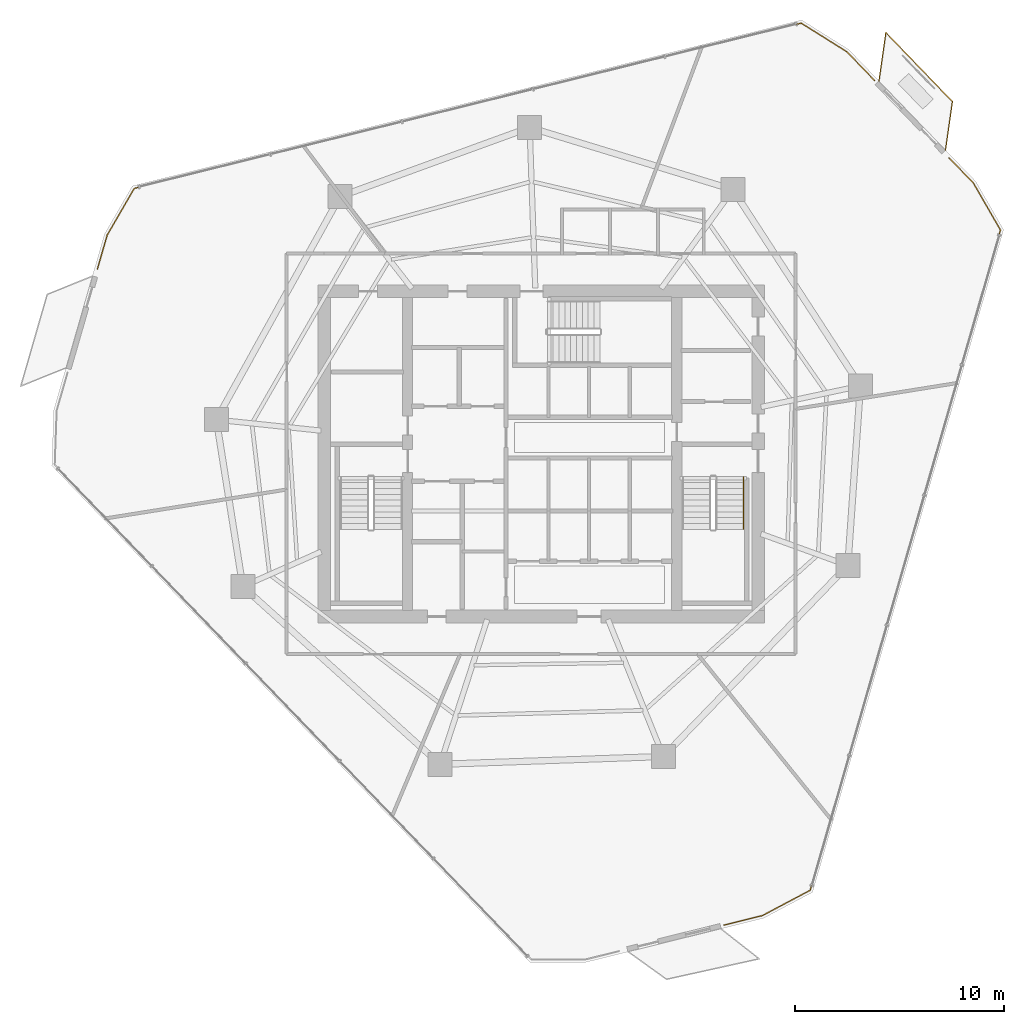
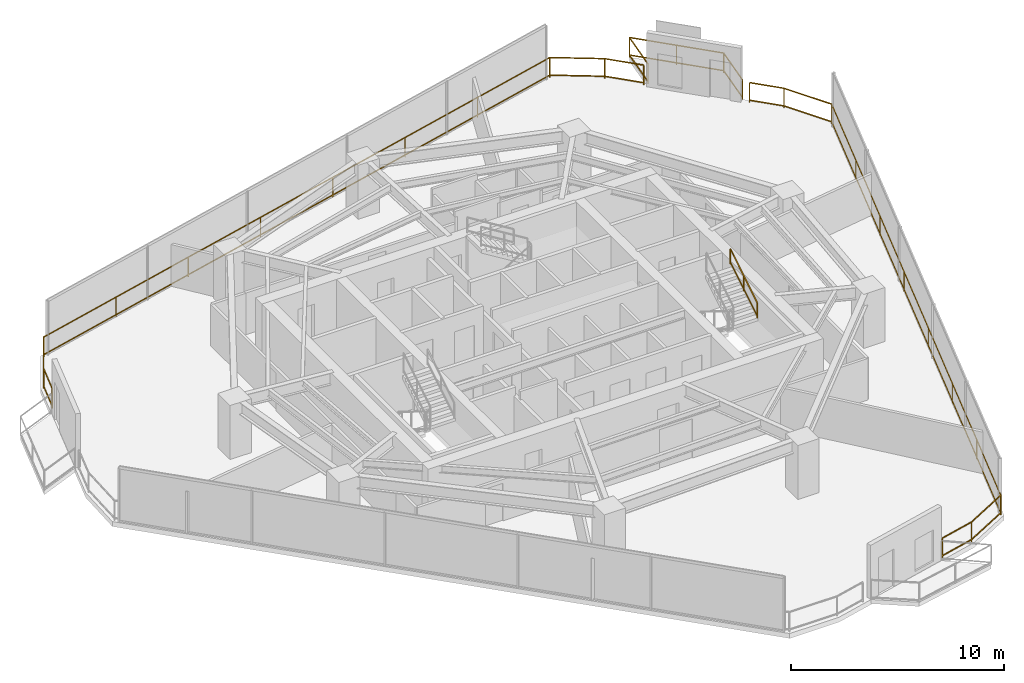
# One storey, part 23 of 23: 5 railings.
"""IFC4 building model written with IfcOpenShell, lengths in metres."""

import ifcopenshell
import ifcopenshell.guid

model = None  # the IFC model being written
_history = None  # IfcOwnerHistory: only IFC2X3 demands one
_inside = {}  # id of a spatial element -> (the spatial element, [elements in it])
_under = {}  # id of a project, library or spatial element -> (it, [spatial elements below it])
_declared = {}  # id of a project -> (the project, [libraries it declares])
_typed = {}  # id of a type object -> (the type object, [elements of that type])
_made_of = {}  # id of a material, layer set ... -> (it, [elements and type objects made of it])


def new_model(schema):
    """Start an empty IFC model of exactly this schema.

    Asked for "IFC4X3", IfcOpenShell would pick the latest addendum, in which some entities
    have other attributes; the version numbers below select the first issue.
    IFC2X3 requires an IfcOwnerHistory on every rooted entity: one is made here for all.
    """
    global model, _history
    if schema == "IFC4X3":
        model = ifcopenshell.file(schema_version=(4, 3, 0, 0))
    else:
        model = ifcopenshell.file(schema=schema)
    _inside.clear()
    _under.clear()
    _declared.clear()
    _typed.clear()
    _made_of.clear()
    _history = None
    if model.schema == "IFC2X3":
        org = make("IfcOrganization", Name="unknown")
        user = make(
            "IfcPersonAndOrganization",
            ThePerson=make("IfcPerson", FamilyName="unknown"),
            TheOrganization=org,
        )
        app = make(
            "IfcApplication",
            ApplicationDeveloper=org,
            Version="unknown",
            ApplicationFullName="unknown",
            ApplicationIdentifier="unknown",
        )
        _history = make(
            "IfcOwnerHistory",
            OwningUser=user,
            OwningApplication=app,
            ChangeAction="ADDED",
            CreationDate=0,
        )
    return model


def make(cls, **values):
    """One entity of the class cls with the attributes given. An attribute that is None is left unset."""
    return model.create_entity(
        cls, **{name: value for name, value in values.items() if value is not None}
    )


def rooted(cls, **values):
    """An entity with a GlobalId (a new one), such as an element, a storey or a relation."""
    return make(cls, GlobalId=ifcopenshell.guid.new(), OwnerHistory=_history, **values)


def si_unit(unit_type, name, prefix=None):
    """IfcSIUnit, for example si_unit("LENGTHUNIT", "METRE", prefix="MILLI")."""
    return make("IfcSIUnit", UnitType=unit_type, Prefix=prefix, Name=name)


def assignment(units):
    """IfcUnitAssignment: the units of a project."""
    return None if units is None else make("IfcUnitAssignment", Units=units)


def point(xyz):
    """IfcCartesianPoint."""
    return None if xyz is None else make("IfcCartesianPoint", Coordinates=xyz)


def direction(xyz):
    """IfcDirection."""
    return None if xyz is None else make("IfcDirection", DirectionRatios=xyz)


def frame(location, z_axis=None, x_axis=None):
    """IfcAxis2Placement3D, a coordinate frame: its origin and axes. An axis left out is left unset."""
    return make(
        "IfcAxis2Placement3D",
        Location=point(location),
        Axis=direction(z_axis),
        RefDirection=direction(x_axis),
    )


def frame_2d(location, x_axis=None):
    """IfcAxis2Placement2D, a coordinate frame in the plane: its origin and x axis."""
    return make(
        "IfcAxis2Placement2D", Location=point(location), RefDirection=direction(x_axis)
    )


def origin():
    """The frame at (0, 0, 0) with its axes left unset."""
    return frame((0.0, 0.0, 0.0))


def origin_2d():
    """The frame at (0, 0) in the plane with its x axis left unset."""
    return frame_2d((0.0, 0.0))


def place(relative_to, where):
    """IfcLocalPlacement: puts the frame where relative to a parent placement (None: the world)."""
    return make(
        "IfcLocalPlacement", PlacementRelTo=relative_to, RelativePlacement=where
    )


def context(
    kind, dimensions, precision=None, world=None, true_north=None, identifier=None
):
    """IfcGeometricRepresentationContext, for example the 3D "Model" context."""
    return make(
        "IfcGeometricRepresentationContext",
        ContextIdentifier=identifier,
        ContextType=kind,
        CoordinateSpaceDimension=dimensions,
        Precision=precision,
        WorldCoordinateSystem=world,
        TrueNorth=true_north,
    )


def subcontext(parent, identifier, kind, view, scale=None):
    """IfcGeometricRepresentationSubContext, for example "Body" below "Model"."""
    return make(
        "IfcGeometricRepresentationSubContext",
        ContextIdentifier=identifier,
        ContextType=kind,
        ParentContext=parent,
        TargetScale=scale,
        TargetView=view,
    )


def project(units=None, contexts=None):
    """IfcProject with its units and contexts."""
    return rooted(
        "IfcProject",
        Name="project",
        RepresentationContexts=contexts,
        UnitsInContext=assignment(units),
    )


def spatial(cls, under=None, at=None, **own):
    """A site, building, storey or space (cls), placed at a placement, below another one or the project."""
    s = rooted(cls, ObjectPlacement=at, **own)
    if under is not None:
        _under.setdefault(under.id(), (under, []))[1].append(s)
    return s


def profile(cls, at=None, kind="AREA", **sizes):
    """A parametric profile (cls). Its sizes go by their IFC names, for example OverallWidth=200.0."""
    return make(cls, ProfileType=kind, Position=at, **sizes)


def rectangle(**sizes):
    """IfcRectangleProfileDef."""
    return profile("IfcRectangleProfileDef", **sizes)


def extrude(swept, where, along, depth):
    """IfcExtrudedAreaSolid: the profile swept, set in the frame where, extruded along a direction by depth."""
    return make(
        "IfcExtrudedAreaSolid",
        SweptArea=swept,
        Position=where,
        ExtrudedDirection=direction(along),
        Depth=depth,
    )


def shape(context_of_items, identifier, shape_type, items):
    """IfcShapeRepresentation: the items that make up one representation, for example the "Body"."""
    return make(
        "IfcShapeRepresentation",
        ContextOfItems=context_of_items,
        RepresentationIdentifier=identifier,
        RepresentationType=shape_type,
        Items=items,
    )


def material(Name=None, Category=None):
    """IfcMaterial."""
    return make("IfcMaterial", Name=Name, Category=Category)


def made_of(thing, what):
    """Note that an element or type object is made of a material, layer set ...; save() writes the relation."""
    if what is not None:
        _made_of.setdefault(what.id(), (what, []))[1].append(thing)
    return thing


def type_object(cls, material=None, **own):
    """A type object (cls), such as IfcWallType, which elements share."""
    return made_of(rooted(cls, **own), material)


def element(
    cls,
    number,
    at=None,
    inside=None,
    cuts=None,
    type_object=None,
    material=None,
    context=None,
    identifier="Body",
    shape_type=None,
    held_by="IfcProductDefinitionShape",
    body=None,
    shapes=None,
    **own,
):
    """One element of the class cls, such as IfcWall. Its Tag is "e" and its number.

    at: its placement. inside: the storey or other place that contains it. cuts: it is an
    opening in that element (IfcRelVoidsElement). A single representation is given by context,
    identifier, shape_type and body (its items); several are given by shapes. held_by: the class
    of the entity that holds the representations. save() writes the other relations.
    """
    e = rooted(cls, Tag="e%d" % number, ObjectPlacement=at, **own)
    if body is not None:
        shapes = [shape(context, identifier, shape_type, body)]
    if shapes is not None:
        e.Representation = make(held_by, Representations=shapes)
    if inside is not None:
        _inside.setdefault(inside.id(), (inside, []))[1].append(e)
    if cuts is not None:
        rooted(
            "IfcRelVoidsElement", RelatingBuildingElement=cuts, RelatedOpeningElement=e
        )
    if type_object is not None:
        _typed.setdefault(type_object.id(), (type_object, []))[1].append(e)
    return made_of(e, material)


def aggregate(whole, parts):
    """IfcRelAggregates: a whole, such as a stair, and the parts it consists of."""
    return rooted("IfcRelAggregates", RelatingObject=whole, RelatedObjects=parts)


def save(model, path):
    """Write the relations noted so far, then the file.

    IfcRelAggregates (storeys below a building ...), IfcRelContainedInSpatialStructure (elements
    in a storey), IfcRelDefinesByType, IfcRelAssociatesMaterial and IfcRelDeclares: one each for
    every whole, place, type object, material and project.
    """
    for whole, parts in _under.values():
        aggregate(whole, parts)
    for where, things in _inside.values():
        rooted(
            "IfcRelContainedInSpatialStructure",
            RelatedElements=things,
            RelatingStructure=where,
        )
    for kind, things in _typed.values():
        rooted("IfcRelDefinesByType", RelatedObjects=things, RelatingType=kind)
    for what, things in _made_of.values():
        rooted("IfcRelAssociatesMaterial", RelatedObjects=things, RelatingMaterial=what)
    for by, libraries in _declared.values():
        rooted("IfcRelDeclares", RelatingContext=by, RelatedDefinitions=libraries)
    model.write(path)


model = new_model("IFC4")

# Units and contexts
model_context = context("Model", 3, precision=1e-05, world=origin(), true_north=direction((0.0, 1.0)))
body_context = subcontext(model_context, "Body", "Model", "MODEL_VIEW")
ifc_project = project(units=[si_unit("LENGTHUNIT", "METRE"), si_unit("AREAUNIT", "SQUARE_METRE"), si_unit("VOLUMEUNIT", "CUBIC_METRE"), si_unit("PLANEANGLEUNIT", "RADIAN"), si_unit("MASSUNIT", "GRAM", prefix="KILO")], contexts=[model_context])

# Site, building, storey
site_placement = place(None, origin())
site = spatial("IfcSite", under=ifc_project, at=site_placement, CompositionType="ELEMENT")
building_placement = place(site_placement, origin())
building = spatial("IfcBuilding", under=site, at=building_placement, Name="Qarnah Convention Tower", CompositionType="ELEMENT")
storey_placement = place(building_placement, frame((0.0, 0.0, 117.75)))
storey = spatial("IfcBuildingStorey", under=building, at=storey_placement, Name="L31", CompositionType="ELEMENT", Elevation=117.75)

# Railings
ifc_material_1 = material(Name="Black anodised aluminium", Category="aluminium")
railing_type_1 = type_object("IfcRailingType", Name="RL-EXT-GUARD-1150", PredefinedType="GUARDRAIL", material=ifc_material_1)
railing_1_placement = place(storey_placement, frame((51.863037109375, 45.66796875, 0.0)))
element("IfcRailing", 1, at=railing_1_placement, inside=storey, type_object=railing_type_1, Name="L31 slab-edge perimeter safety guard 01", PredefinedType="GUARDRAIL", context=body_context, shape_type="SweptSolid", body=[
    extrude(rectangle(XDim=0.048095703125, YDim=0.048095703125, at=origin_2d()), frame((0.0, 0.0, 1.1259765625), z_axis=(0.69354284576, -0.72041538094, 0.0), x_axis=(0.72041538094, 0.69354284576, 0.0)), (0.0, 0.0, 1.0), 1.898681640625),
    extrude(rectangle(XDim=0.048095703125, YDim=0.048095703125, at=origin_2d()), frame((0.0, 0.0, 0.1201171875), z_axis=(0.69354284576, -0.72041538094, 0.0), x_axis=(0.72041538094, 0.69354284576, 0.0)), (0.0, 0.0, 1.0), 1.898681640625),
    extrude(rectangle(XDim=0.0419921875, YDim=0.0419921875, at=origin_2d()), origin(), (0.0, 0.0, 1.0), 1.101806640625),
    extrude(rectangle(XDim=0.0419921875, YDim=0.0419921875, at=origin_2d()), frame((1.31689453125, -1.367919921875, 0.0)), (0.0, 0.0, 1.0), 1.101806640625),
])
railing_2_placement = place(storey_placement, frame((56.759033203125, 40.5849609375, 0.0)))
element("IfcRailing", 2, at=railing_2_placement, inside=storey, type_object=railing_type_1, Name="L31 slab-edge perimeter safety guard 02", PredefinedType="GUARDRAIL", context=body_context, shape_type="SweptSolid", body=[
    extrude(rectangle(XDim=0.048095703125, YDim=0.048095703125, at=origin_2d()), frame((0.0, 0.0, 1.1259765625), z_axis=(0.693313806805, -0.720635806281, 0.0), x_axis=(0.720635806281, 0.693313806805, 0.0)), (0.0, 0.0, 1.0), 1.68896484375),
    extrude(rectangle(XDim=0.048095703125, YDim=0.048095703125, at=origin_2d()), frame((0.0, 0.0, 0.1201171875), z_axis=(0.693313806805, -0.720635806281, 0.0), x_axis=(0.720635806281, 0.693313806805, 0.0)), (0.0, 0.0, 1.0), 1.68896484375),
    extrude(rectangle(XDim=0.048095703125, YDim=0.048095703125, at=origin_2d()), frame((1.1708984375, -1.217041015625, 1.1259765625), z_axis=(0.498859238078, -0.866683021978, 0.0), x_axis=(0.866683021978, 0.498859238078, 0.0)), (0.0, 0.0, 1.0), 2.587890625),
    extrude(rectangle(XDim=0.048095703125, YDim=0.048095703125, at=origin_2d()), frame((1.1708984375, -1.217041015625, 0.1201171875), z_axis=(0.498859238078, -0.866683021978, 0.0), x_axis=(0.866683021978, 0.498859238078, 0.0)), (0.0, 0.0, 1.0), 2.587890625),
    extrude(rectangle(XDim=0.048095703125, YDim=0.048095703125, at=origin_2d()), frame((2.4619140625, -3.4599609375, 1.1259765625), z_axis=(-0.276953509697, -0.960883319382, 0.0), x_axis=(0.960883319382, -0.276953509697, 0.0)), (0.0, 0.0, 1.0), 32.936279296875),
    extrude(rectangle(XDim=0.048095703125, YDim=0.048095703125, at=origin_2d()), frame((2.4619140625, -3.4599609375, 0.1201171875), z_axis=(-0.276953509697, -0.960883319382, 0.0), x_axis=(0.960883319382, -0.276953509697, 0.0)), (0.0, 0.0, 1.0), 32.936279296875),
    extrude(rectangle(XDim=0.048095703125, YDim=0.048095703125, at=origin_2d()), frame((-6.659912109375, -35.10791015625, 1.1259765625), z_axis=(-0.88365715429, -0.468134631994, 0.0), x_axis=(0.468134631994, -0.88365715429, 0.0)), (0.0, 0.0, 1.0), 2.58935546875),
    extrude(rectangle(XDim=0.048095703125, YDim=0.048095703125, at=origin_2d()), frame((-6.659912109375, -35.10791015625, 0.1201171875), z_axis=(-0.88365715429, -0.468134631994, 0.0), x_axis=(0.468134631994, -0.88365715429, 0.0)), (0.0, 0.0, 1.0), 2.58935546875),
    extrude(rectangle(XDim=0.048095703125, YDim=0.048095703125, at=origin_2d()), frame((-8.947998046875, -36.320068359375, 1.1259765625), z_axis=(-0.970661869808, -0.240448610937, 0.0), x_axis=(0.240448610937, -0.970661869808, 0.0)), (0.0, 0.0, 1.0), 1.899658203125),
    extrude(rectangle(XDim=0.048095703125, YDim=0.048095703125, at=origin_2d()), frame((-8.947998046875, -36.320068359375, 0.1201171875), z_axis=(-0.970661869808, -0.240448610937, 0.0), x_axis=(0.240448610937, -0.970661869808, 0.0)), (0.0, 0.0, 1.0), 1.899658203125),
    extrude(rectangle(XDim=0.0419921875, YDim=0.0419921875, at=origin_2d()), origin(), (0.0, 0.0, 1.0), 1.101806640625),
    extrude(rectangle(XDim=0.0419921875, YDim=0.0419921875, at=origin_2d()), frame((1.1708984375, -1.217041015625, 0.0)), (0.0, 0.0, 1.0), 1.101806640625),
    extrude(rectangle(XDim=0.0419921875, YDim=0.0419921875, at=origin_2d()), frame((2.4619140625, -3.4599609375, 0.0)), (0.0, 0.0, 1.0), 1.101806640625),
    extrude(rectangle(XDim=0.0419921875, YDim=0.0419921875, at=origin_2d()), frame((1.15869140625, -7.981201171875, 0.0)), (0.0, 0.0, 1.0), 1.101806640625),
    extrude(rectangle(XDim=0.0419921875, YDim=0.0419921875, at=origin_2d()), frame((-0.144287109375, -12.502197265625, 0.0)), (0.0, 0.0, 1.0), 1.101806640625),
    extrude(rectangle(XDim=0.0419921875, YDim=0.0419921875, at=origin_2d()), frame((-1.447509765625, -17.0234375, 0.0)), (0.0, 0.0, 1.0), 1.101806640625),
    extrude(rectangle(XDim=0.0419921875, YDim=0.0419921875, at=origin_2d()), frame((-2.75048828125, -21.54443359375, 0.0)), (0.0, 0.0, 1.0), 1.101806640625),
    extrude(rectangle(XDim=0.0419921875, YDim=0.0419921875, at=origin_2d()), frame((-4.0537109375, -26.065673828125, 0.0)), (0.0, 0.0, 1.0), 1.101806640625),
    extrude(rectangle(XDim=0.0419921875, YDim=0.0419921875, at=origin_2d()), frame((-5.356689453125, -30.586669921875, 0.0)), (0.0, 0.0, 1.0), 1.101806640625),
    extrude(rectangle(XDim=0.0419921875, YDim=0.0419921875, at=origin_2d()), frame((-6.659912109375, -35.10791015625, 0.0)), (0.0, 0.0, 1.0), 1.101806640625),
    extrude(rectangle(XDim=0.0419921875, YDim=0.0419921875, at=origin_2d()), frame((-8.947998046875, -36.320068359375, 0.0)), (0.0, 0.0, 1.0), 1.101806640625),
    extrude(rectangle(XDim=0.0419921875, YDim=0.0419921875, at=origin_2d()), frame((-10.7919921875, -36.77685546875, 0.0)), (0.0, 0.0, 1.0), 1.101806640625),
])
railing_3_placement = place(storey_placement, frame((15.93505859375, 35.257080078125, 0.0)))
element("IfcRailing", 3, at=railing_3_placement, inside=storey, type_object=railing_type_1, Name="L31 slab-edge perimeter safety guard 04", PredefinedType="GUARDRAIL", context=body_context, shape_type="SweptSolid", body=[
    extrude(rectangle(XDim=0.048095703125, YDim=0.048095703125, at=origin_2d()), frame((0.0, 0.0, 1.1259765625), z_axis=(0.277260791489, 0.960794698936, 0.0), x_axis=(-0.960794698936, 0.277260791489, 0.0)), (0.0, 0.0, 1.0), 1.68798828125),
    extrude(rectangle(XDim=0.048095703125, YDim=0.048095703125, at=origin_2d()), frame((0.0, 0.0, 0.1201171875), z_axis=(0.277260791489, 0.960794698936, 0.0), x_axis=(-0.960794698936, 0.277260791489, 0.0)), (0.0, 0.0, 1.0), 1.68798828125),
    extrude(rectangle(XDim=0.048095703125, YDim=0.048095703125, at=origin_2d()), frame((0.468017578125, 1.621826171875, 1.1259765625), z_axis=(0.501047424961, 0.865419827563, 0.0), x_axis=(-0.865419827563, 0.501047424961, 0.0)), (0.0, 0.0, 1.0), 2.58837890625),
    extrude(rectangle(XDim=0.048095703125, YDim=0.048095703125, at=origin_2d()), frame((0.468017578125, 1.621826171875, 0.1201171875), z_axis=(0.501047424961, 0.865419827563, 0.0), x_axis=(-0.865419827563, 0.501047424961, 0.0)), (0.0, 0.0, 1.0), 2.58837890625),
    extrude(rectangle(XDim=0.048095703125, YDim=0.048095703125, at=origin_2d()), frame((1.764892578125, 3.86181640625, 1.1259765625), z_axis=(0.970629303909, 0.240580037396, 0.0), x_axis=(-0.240580037396, 0.970629303909, 0.0)), (0.0, 0.0, 1.0), 32.937255859375),
    extrude(rectangle(XDim=0.048095703125, YDim=0.048095703125, at=origin_2d()), frame((1.764892578125, 3.86181640625, 0.1201171875), z_axis=(0.970629303909, 0.240580037396, 0.0), x_axis=(-0.240580037396, 0.970629303909, 0.0)), (0.0, 0.0, 1.0), 32.937255859375),
    extrude(rectangle(XDim=0.048095703125, YDim=0.048095703125, at=origin_2d()), frame((33.73486328125, 11.785888671875, 1.1259765625), z_axis=(0.847250343004, -0.531193802938, 0.0), x_axis=(0.531193802938, 0.847250343004, 0.0)), (0.0, 0.0, 1.0), 2.588623046875),
    extrude(rectangle(XDim=0.048095703125, YDim=0.048095703125, at=origin_2d()), frame((33.73486328125, 11.785888671875, 0.1201171875), z_axis=(0.847250343004, -0.531193802938, 0.0), x_axis=(0.531193802938, 0.847250343004, 0.0)), (0.0, 0.0, 1.0), 2.588623046875),
    extrude(rectangle(XDim=0.0419921875, YDim=0.0419921875, at=origin_2d()), origin(), (0.0, 0.0, 1.0), 1.101806640625),
    extrude(rectangle(XDim=0.0419921875, YDim=0.0419921875, at=origin_2d()), frame((0.468017578125, 1.621826171875, 0.0)), (0.0, 0.0, 1.0), 1.101806640625),
    extrude(rectangle(XDim=0.0419921875, YDim=0.0419921875, at=origin_2d()), frame((1.764892578125, 3.86181640625, 0.0)), (0.0, 0.0, 1.0), 1.101806640625),
    extrude(rectangle(XDim=0.0419921875, YDim=0.0419921875, at=origin_2d()), frame((6.33203125, 4.993896484375, 0.0)), (0.0, 0.0, 1.0), 1.101806640625),
    extrude(rectangle(XDim=0.0419921875, YDim=0.0419921875, at=origin_2d()), frame((10.899169921875, 6.125732421875, 0.0)), (0.0, 0.0, 1.0), 1.101806640625),
    extrude(rectangle(XDim=0.0419921875, YDim=0.0419921875, at=origin_2d()), frame((15.46630859375, 7.2578125, 0.0)), (0.0, 0.0, 1.0), 1.101806640625),
    extrude(rectangle(XDim=0.0419921875, YDim=0.0419921875, at=origin_2d()), frame((20.033447265625, 8.389892578125, 0.0)), (0.0, 0.0, 1.0), 1.101806640625),
    extrude(rectangle(XDim=0.0419921875, YDim=0.0419921875, at=origin_2d()), frame((24.6005859375, 9.52197265625, 0.0)), (0.0, 0.0, 1.0), 1.101806640625),
    extrude(rectangle(XDim=0.0419921875, YDim=0.0419921875, at=origin_2d()), frame((29.167724609375, 10.65380859375, 0.0)), (0.0, 0.0, 1.0), 1.101806640625),
    extrude(rectangle(XDim=0.0419921875, YDim=0.0419921875, at=origin_2d()), frame((33.73486328125, 11.785888671875, 0.0)), (0.0, 0.0, 1.0), 1.101806640625),
    extrude(rectangle(XDim=0.0419921875, YDim=0.0419921875, at=origin_2d()), frame((35.927978515625, 10.410888671875, 0.0)), (0.0, 0.0, 1.0), 1.101806640625),
])
railing_4_placement = place(storey_placement, frame((53.39794921875, 44.26806640625, 0.0)))
element("IfcRailing", 4, at=railing_4_placement, inside=storey, type_object=railing_type_1, Name="L31 balcony safety guard BAL-L31-C1", PredefinedType="GUARDRAIL", context=body_context, shape_type="SweptSolid", body=[
    extrude(rectangle(XDim=0.048095703125, YDim=0.048095703125, at=origin_2d()), frame((0.0, 0.0, 1.1259765625), z_axis=(0.140562540758, 0.990071801505, 0.0), x_axis=(-0.990071801505, 0.140562540758, 0.0)), (0.0, 0.0, 1.0), 2.34814453125),
    extrude(rectangle(XDim=0.048095703125, YDim=0.048095703125, at=origin_2d()), frame((0.0, 0.0, 0.1201171875), z_axis=(0.140562540758, 0.990071801505, 0.0), x_axis=(-0.990071801505, 0.140562540758, 0.0)), (0.0, 0.0, 1.0), 2.34814453125),
    extrude(rectangle(XDim=0.048095703125, YDim=0.048095703125, at=origin_2d()), frame((0.330078125, 2.324951171875, 1.1259765625), z_axis=(0.693607012238, -0.720353602458, 0.0), x_axis=(0.720353602458, 0.693607012238, 0.0)), (0.0, 0.0, 1.0), 4.6005859375),
    extrude(rectangle(XDim=0.048095703125, YDim=0.048095703125, at=origin_2d()), frame((0.330078125, 2.324951171875, 0.1201171875), z_axis=(0.693607012238, -0.720353602458, 0.0), x_axis=(0.720353602458, 0.693607012238, 0.0)), (0.0, 0.0, 1.0), 4.6005859375),
    extrude(rectangle(XDim=0.048095703125, YDim=0.048095703125, at=origin_2d()), frame((3.52099609375, -0.989013671875, 1.1259765625), z_axis=(-0.140518484367, -0.990078055282, 0.0), x_axis=(0.990078055282, -0.140518484367, 0.0)), (0.0, 0.0, 1.0), 2.34716796875),
    extrude(rectangle(XDim=0.048095703125, YDim=0.048095703125, at=origin_2d()), frame((3.52099609375, -0.989013671875, 0.1201171875), z_axis=(-0.140518484367, -0.990078055282, 0.0), x_axis=(0.990078055282, -0.140518484367, 0.0)), (0.0, 0.0, 1.0), 2.34716796875),
    extrude(rectangle(XDim=0.0419921875, YDim=0.0419921875, at=origin_2d()), origin(), (0.0, 0.0, 1.0), 1.101806640625),
    extrude(rectangle(XDim=0.0419921875, YDim=0.0419921875, at=origin_2d()), frame((0.330078125, 2.324951171875, 0.0)), (0.0, 0.0, 1.0), 1.101806640625),
    extrude(rectangle(XDim=0.0419921875, YDim=0.0419921875, at=origin_2d()), frame((1.925537109375, 0.66796875, 0.0)), (0.0, 0.0, 1.0), 1.101806640625),
    extrude(rectangle(XDim=0.0419921875, YDim=0.0419921875, at=origin_2d()), frame((3.52099609375, -0.989013671875, 0.0)), (0.0, 0.0, 1.0), 1.101806640625),
    extrude(rectangle(XDim=0.0419921875, YDim=0.0419921875, at=origin_2d()), frame((3.191162109375, -3.31298828125, 0.0)), (0.0, 0.0, 1.0), 1.101806640625),
])
ifc_material_2 = material(Name="Structural steel S355JR", Category="steel")
railing_type_2 = type_object("IfcRailingType", Name="RL-STAIR-HAND-900", PredefinedType="HANDRAIL", material=ifc_material_2)
railing_5_placement = place(storey_placement, frame((46.89990234375, 22.780029296875, 1.8974609375)))
element("IfcRailing", 5, at=railing_5_placement, inside=storey, type_object=railing_type_2, Name="L31 ST-2 stair handrail 2", PredefinedType="HANDRAIL", context=body_context, shape_type="SweptSolid", body=[
    extrude(rectangle(XDim=0.048095703125, YDim=0.048095703125, at=origin_2d()), frame((0.0, 0.0, 0.8759765625), z_axis=(0.0, 0.851400495292, 0.524516154772), x_axis=(-1.0, 0.0, 0.0)), (0.0, 0.0, 1.0), 2.9599609375),
    extrude(rectangle(XDim=0.048095703125, YDim=0.048095703125, at=origin_2d()), frame((0.0, 0.0, 0.1201171875), z_axis=(0.0, 0.851400495292, 0.524516154772), x_axis=(-1.0, 0.0, 0.0)), (0.0, 0.0, 1.0), 2.9599609375),
    extrude(rectangle(XDim=0.0419921875, YDim=0.0419921875, at=origin_2d()), origin(), (0.0, 0.0, 1.0), 0.851806640625),
    extrude(rectangle(XDim=0.0419921875, YDim=0.0419921875, at=origin_2d()), frame((0.0, 1.260009765625, 0.7763671875)), (0.0, 0.0, 1.0), 0.851806640625),
    extrude(rectangle(XDim=0.0419921875, YDim=0.0419921875, at=origin_2d()), frame((0.0, 2.52001953125, 1.552490234375)), (0.0, 0.0, 1.0), 0.851806640625),
])

save(model, "model.ifc")
